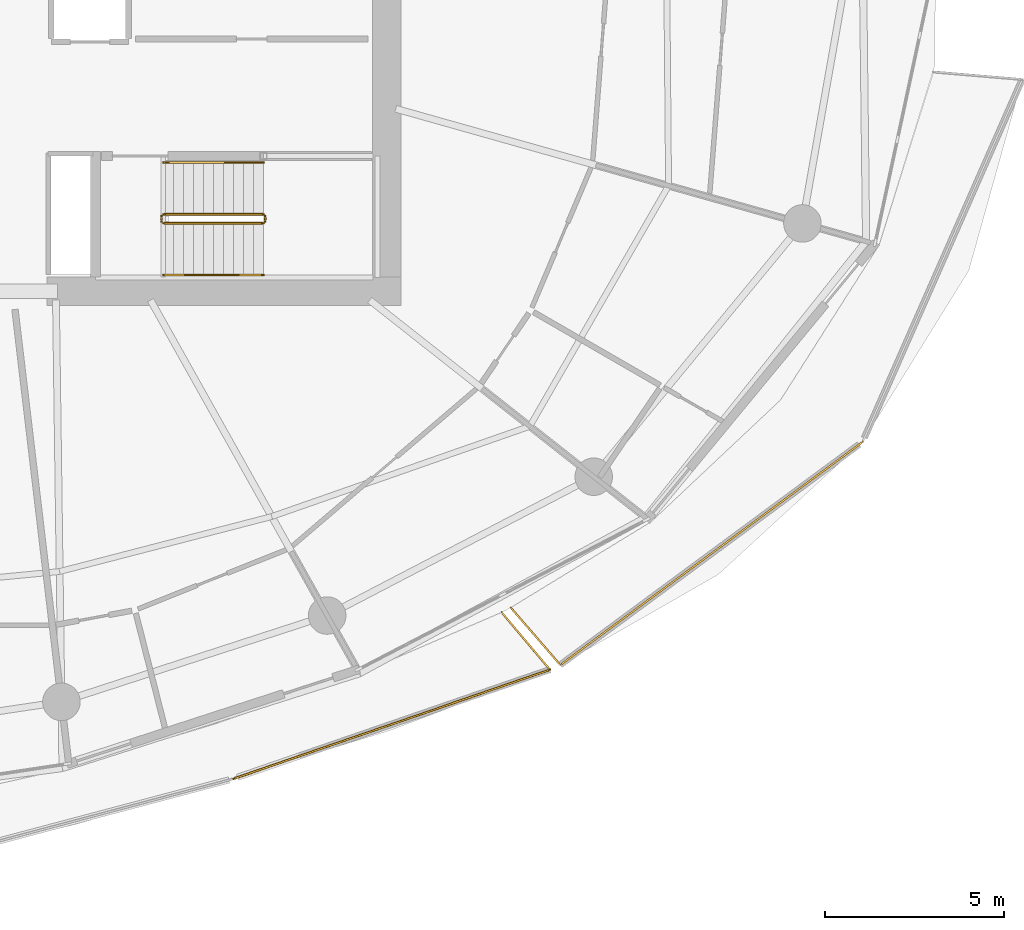
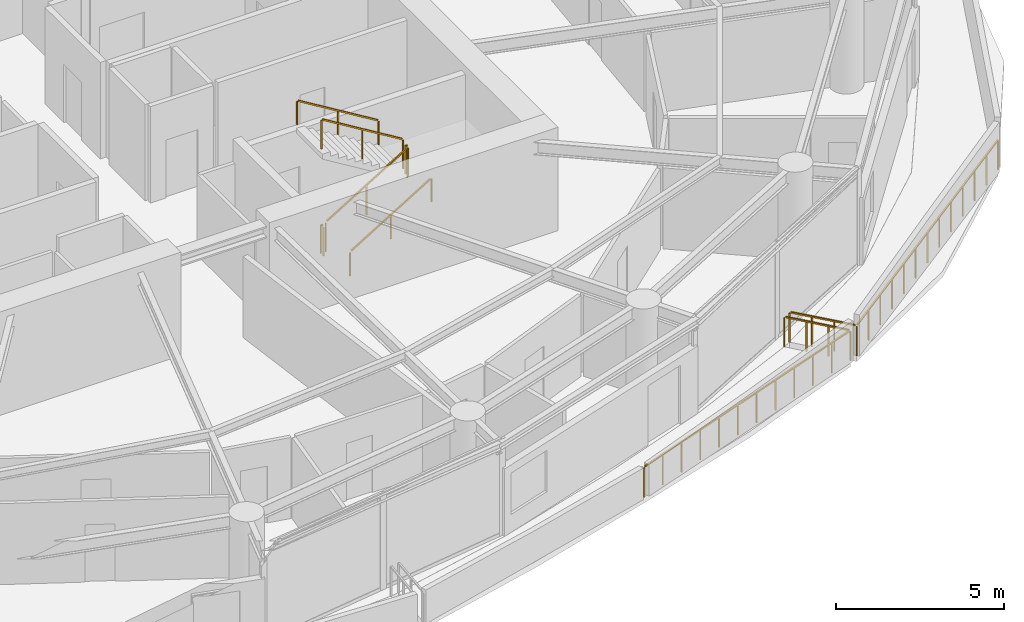
# One storey, part 18 of 20: 10 railings.
"""IFC4 building model written with IfcOpenShell, lengths in metres."""

from ifc_helpers import new_model, si_unit, direction, frame, origin, origin_2d, place, context, subcontext, project, spatial, rectangle, extrude, material, type_object, element, save


model = new_model("IFC4")

# Units and contexts
model_context = context("Model", 3, precision=1e-05, world=origin(), true_north=direction((0.0, 1.0)))
body_context = subcontext(model_context, "Body", "Model", "MODEL_VIEW")
ifc_project = project(units=[si_unit("LENGTHUNIT", "METRE"), si_unit("AREAUNIT", "SQUARE_METRE"), si_unit("VOLUMEUNIT", "CUBIC_METRE"), si_unit("PLANEANGLEUNIT", "RADIAN"), si_unit("MASSUNIT", "GRAM", prefix="KILO")], contexts=[model_context])

# Site, building, storey
site_placement = place(None, origin())
site = spatial("IfcSite", under=ifc_project, at=site_placement, CompositionType="ELEMENT")
building_placement = place(site_placement, origin())
building = spatial("IfcBuilding", under=site, at=building_placement, Name="Kazma Halo Residences", CompositionType="ELEMENT")
storey_placement = place(building_placement, frame((0.0, 0.0, 154.050048828125)))
storey = spatial("IfcBuildingStorey", under=building, at=storey_placement, Name="L38", CompositionType="ELEMENT", Elevation=154.050048828125)

# Railings
ifc_material_1 = material(Name="Aluminium AW-6063 T6 Brushed Cap Rail", Category="aluminium")
railing_type_1 = type_object("IfcRailingType", Name="RLG-BAL-CAP-1120", PredefinedType="BALUSTRADE", material=ifc_material_1)
railing_1_placement = place(storey_placement, frame((55.158935546875, 19.966796875, 0.0)))
element("IfcRailing", 1, at=railing_1_placement, inside=storey, type_object=railing_type_1, Name="L38 SSE wave balcony guard 3", PredefinedType="BALUSTRADE", context=body_context, shape_type="SweptSolid", body=[
    extrude(rectangle(XDim=0.050048828125, YDim=0.050048828125, at=origin_2d()), frame((0.040283203125, 0.013916015625, 1.09521484375), z_axis=(0.945398191233, 0.325917566284, 0.0), x_axis=(-0.325917566284, 0.945398191233, 0.0)), (0.0, 0.0, 1.0), 9.279296875),
    extrude(rectangle(XDim=0.0400390625, YDim=0.0400390625, at=origin_2d()), origin(), (0.0, 0.0, 1.0), 1.05810546875),
    extrude(rectangle(XDim=0.0400390625, YDim=0.0400390625, at=origin_2d()), frame((0.804931640625, 0.27734375, 0.0)), (0.0, 0.0, 1.0), 1.05810546875),
    extrude(rectangle(XDim=0.0400390625, YDim=0.0400390625, at=origin_2d()), frame((1.609619140625, 0.554931640625, 0.0)), (0.0, 0.0, 1.0), 1.05810546875),
    extrude(rectangle(XDim=0.0400390625, YDim=0.0400390625, at=origin_2d()), frame((2.41455078125, 0.832275390625, 0.0)), (0.0, 0.0, 1.0), 1.05810546875),
    extrude(rectangle(XDim=0.0400390625, YDim=0.0400390625, at=origin_2d()), frame((3.21923828125, 1.10986328125, 0.0)), (0.0, 0.0, 1.0), 1.05810546875),
    extrude(rectangle(XDim=0.0400390625, YDim=0.0400390625, at=origin_2d()), frame((4.024169921875, 1.38720703125, 0.0)), (0.0, 0.0, 1.0), 1.05810546875),
    extrude(rectangle(XDim=0.0400390625, YDim=0.0400390625, at=origin_2d()), frame((4.828857421875, 1.664794921875, 0.0)), (0.0, 0.0, 1.0), 1.05810546875),
    extrude(rectangle(XDim=0.0400390625, YDim=0.0400390625, at=origin_2d()), frame((5.6337890625, 1.942138671875, 0.0)), (0.0, 0.0, 1.0), 1.05810546875),
    extrude(rectangle(XDim=0.0400390625, YDim=0.0400390625, at=origin_2d()), frame((6.4384765625, 2.2197265625, 0.0)), (0.0, 0.0, 1.0), 1.05810546875),
    extrude(rectangle(XDim=0.0400390625, YDim=0.0400390625, at=origin_2d()), frame((7.243408203125, 2.4970703125, 0.0)), (0.0, 0.0, 1.0), 1.05810546875),
    extrude(rectangle(XDim=0.0400390625, YDim=0.0400390625, at=origin_2d()), frame((8.048095703125, 2.774658203125, 0.0)), (0.0, 0.0, 1.0), 1.05810546875),
    extrude(rectangle(XDim=0.0400390625, YDim=0.0400390625, at=origin_2d()), frame((8.85302734375, 3.052001953125, 0.0)), (0.0, 0.0, 1.0), 1.05810546875),
])
railing_2_placement = place(storey_placement, frame((64.011962890625, 23.018798828125, 0.0)))
element("IfcRailing", 2, at=railing_2_placement, inside=storey, type_object=railing_type_1, Name="L38 SSE wave balcony guard 4", PredefinedType="BALUSTRADE", context=body_context, shape_type="SweptSolid", body=[
    extrude(rectangle(XDim=0.050048828125, YDim=0.050048828125, at=origin_2d()), frame((-0.02734375, 0.032470703125, 1.09521484375), z_axis=(-0.644792225972, 0.764357890864, 0.0), x_axis=(-0.764357890864, -0.644792225972, 0.0)), (0.0, 0.0, 1.0), 2.010009765625),
    extrude(rectangle(XDim=0.0400390625, YDim=0.0400390625, at=origin_2d()), origin(), (0.0, 0.0, 1.0), 1.05810546875),
    extrude(rectangle(XDim=0.0400390625, YDim=0.0400390625, at=origin_2d()), frame((-0.4501953125, 0.53369140625, 0.0)), (0.0, 0.0, 1.0), 1.05810546875),
    extrude(rectangle(XDim=0.0400390625, YDim=0.0400390625, at=origin_2d()), frame((-0.900634765625, 1.067626953125, 0.0)), (0.0, 0.0, 1.0), 1.05810546875),
    extrude(rectangle(XDim=0.0400390625, YDim=0.0400390625, at=origin_2d()), frame((-1.350830078125, 1.601318359375, 0.0)), (0.0, 0.0, 1.0), 1.05810546875),
])
railing_3_placement = place(storey_placement, frame((62.91455078125, 24.751953125, 0.0)))
element("IfcRailing", 3, at=railing_3_placement, inside=storey, type_object=railing_type_1, Name="L38 SE wave balcony guard 1", PredefinedType="BALUSTRADE", context=body_context, shape_type="SweptSolid", body=[
    extrude(rectangle(XDim=0.050048828125, YDim=0.050048828125, at=origin_2d()), frame((0.02783203125, -0.0322265625, 1.09521484375), z_axis=(0.654078865259, -0.756426359946, 0.0), x_axis=(0.756426359946, 0.654078865259, 0.0)), (0.0, 0.0, 1.0), 2.033203125),
    extrude(rectangle(XDim=0.0400390625, YDim=0.0400390625, at=origin_2d()), origin(), (0.0, 0.0, 1.0), 1.05810546875),
    extrude(rectangle(XDim=0.0400390625, YDim=0.0400390625, at=origin_2d()), frame((0.4619140625, -0.5341796875, 0.0)), (0.0, 0.0, 1.0), 1.05810546875),
    extrude(rectangle(XDim=0.0400390625, YDim=0.0400390625, at=origin_2d()), frame((0.923583984375, -1.068115234375, 0.0)), (0.0, 0.0, 1.0), 1.05810546875),
    extrude(rectangle(XDim=0.0400390625, YDim=0.0400390625, at=origin_2d()), frame((1.385498046875, -1.602294921875, 0.0)), (0.0, 0.0, 1.0), 1.05810546875),
])
railing_4_placement = place(storey_placement, frame((64.300048828125, 23.149658203125, 0.0)))
element("IfcRailing", 4, at=railing_4_placement, inside=storey, type_object=railing_type_1, Name="L38 SE wave balcony guard 2", PredefinedType="BALUSTRADE", context=body_context, shape_type="SweptSolid", body=[
    extrude(rectangle(XDim=0.050048828125, YDim=0.050048828125, at=origin_2d()), frame((0.0341796875, 0.025146484375, 1.09521484375), z_axis=(0.804729225788, 0.59364204127, 0.0), x_axis=(-0.59364204127, 0.804729225788, 0.0)), (0.0, 0.0, 1.0), 10.42138671875),
    extrude(rectangle(XDim=0.0400390625, YDim=0.0400390625, at=origin_2d()), origin(), (0.0, 0.0, 1.0), 1.05810546875),
    extrude(rectangle(XDim=0.0400390625, YDim=0.0400390625, at=origin_2d()), frame((0.70458984375, 0.519775390625, 0.0)), (0.0, 0.0, 1.0), 1.05810546875),
    extrude(rectangle(XDim=0.0400390625, YDim=0.0400390625, at=origin_2d()), frame((1.4091796875, 1.03955078125, 0.0)), (0.0, 0.0, 1.0), 1.05810546875),
    extrude(rectangle(XDim=0.0400390625, YDim=0.0400390625, at=origin_2d()), frame((2.11376953125, 1.559326171875, 0.0)), (0.0, 0.0, 1.0), 1.05810546875),
    extrude(rectangle(XDim=0.0400390625, YDim=0.0400390625, at=origin_2d()), frame((2.818359375, 2.0791015625, 0.0)), (0.0, 0.0, 1.0), 1.05810546875),
    extrude(rectangle(XDim=0.0400390625, YDim=0.0400390625, at=origin_2d()), frame((3.52294921875, 2.598876953125, 0.0)), (0.0, 0.0, 1.0), 1.05810546875),
    extrude(rectangle(XDim=0.0400390625, YDim=0.0400390625, at=origin_2d()), frame((4.2275390625, 3.11865234375, 0.0)), (0.0, 0.0, 1.0), 1.05810546875),
    extrude(rectangle(XDim=0.0400390625, YDim=0.0400390625, at=origin_2d()), frame((4.931884765625, 3.63818359375, 0.0)), (0.0, 0.0, 1.0), 1.05810546875),
    extrude(rectangle(XDim=0.0400390625, YDim=0.0400390625, at=origin_2d()), frame((5.636474609375, 4.157958984375, 0.0)), (0.0, 0.0, 1.0), 1.05810546875),
    extrude(rectangle(XDim=0.0400390625, YDim=0.0400390625, at=origin_2d()), frame((6.341064453125, 4.677734375, 0.0)), (0.0, 0.0, 1.0), 1.05810546875),
    extrude(rectangle(XDim=0.0400390625, YDim=0.0400390625, at=origin_2d()), frame((7.045654296875, 5.197509765625, 0.0)), (0.0, 0.0, 1.0), 1.05810546875),
    extrude(rectangle(XDim=0.0400390625, YDim=0.0400390625, at=origin_2d()), frame((7.750244140625, 5.71728515625, 0.0)), (0.0, 0.0, 1.0), 1.05810546875),
    extrude(rectangle(XDim=0.0400390625, YDim=0.0400390625, at=origin_2d()), frame((8.454833984375, 6.237060546875, 0.0)), (0.0, 0.0, 1.0), 1.05810546875),
])
ifc_material_2 = material(Name="Painted Steel S355", Category="steel")
railing_type_2 = type_object("IfcRailingType", Name="RLG-STAIR-GRD-1100", PredefinedType="GUARDRAIL", material=ifc_material_2)
railing_5_placement = place(storey_placement, frame((53.199951171875, 35.5, 0.17041015625)))
element("IfcRailing", 5, at=railing_5_placement, inside=storey, type_object=railing_type_2, Name="L38 ST-03 stair guard 1", PredefinedType="GUARDRAIL", context=body_context, shape_type="SweptSolid", body=[
    extrude(rectangle(XDim=0.050048828125, YDim=0.050048828125, at=origin_2d()), frame((0.036376953125, 0.0, 1.09716796875), z_axis=(0.854169791009, 0.0, 0.51999420009), x_axis=(0.0, 1.0, 0.0)), (0.0, 0.0, 1.0), 3.193115234375),
    extrude(rectangle(XDim=0.0400390625, YDim=0.0400390625, at=origin_2d()), origin(), (0.0, 0.0, 1.0), 1.0380859375),
    extrude(rectangle(XDim=0.0400390625, YDim=0.0400390625, at=origin_2d()), frame((1.39990234375, 0.0, 0.852294921875)), (0.0, 0.0, 1.0), 1.0380859375),
    extrude(rectangle(XDim=0.0400390625, YDim=0.0400390625, at=origin_2d()), frame((2.800048828125, 0.0, 1.70458984375)), (0.0, 0.0, 1.0), 1.0380859375),
])
railing_6_placement = place(storey_placement, frame((56.050048828125, 35.550048828125, 1.875)))
element("IfcRailing", 6, at=railing_6_placement, inside=storey, type_object=railing_type_2, Name="L38 ST-03 stair guard 2", PredefinedType="GUARDRAIL", context=body_context, shape_type="SweptSolid", body=[
    extrude(rectangle(XDim=0.050048828125, YDim=0.050048828125, at=origin_2d()), frame((0.0, 0.04248046875, 1.0751953125), z_axis=(0.0, 1.0, 0.0), x_axis=(-1.0, 0.0, 0.0)), (0.0, 0.0, 1.0), 0.06494140625),
    extrude(rectangle(XDim=0.0400390625, YDim=0.0400390625, at=origin_2d()), origin(), (0.0, 0.0, 1.0), 1.0380859375),
    extrude(rectangle(XDim=0.0400390625, YDim=0.0400390625, at=origin_2d()), frame((0.0, 0.14990234375, 0.0)), (0.0, 0.0, 1.0), 1.0380859375),
])
railing_7_placement = place(storey_placement, frame((56.0, 35.75, 2.04541015625)))
element("IfcRailing", 7, at=railing_7_placement, inside=storey, type_object=railing_type_2, Name="L38 ST-03 stair guard 3", PredefinedType="GUARDRAIL", context=body_context, shape_type="SweptSolid", body=[
    extrude(rectangle(XDim=0.050048828125, YDim=0.050048828125, at=origin_2d()), frame((-0.036376953125, 0.0, 1.09716796875), z_axis=(-0.854169791009, 0.0, 0.51999420009), x_axis=(0.0, -1.0, 0.0)), (0.0, 0.0, 1.0), 3.193115234375),
    extrude(rectangle(XDim=0.0400390625, YDim=0.0400390625, at=origin_2d()), origin(), (0.0, 0.0, 1.0), 1.0380859375),
    extrude(rectangle(XDim=0.0400390625, YDim=0.0400390625, at=origin_2d()), frame((-1.39990234375, 0.0, 0.852294921875)), (0.0, 0.0, 1.0), 1.0380859375),
    extrude(rectangle(XDim=0.0400390625, YDim=0.0400390625, at=origin_2d()), frame((-2.800048828125, 0.0, 1.70458984375)), (0.0, 0.0, 1.0), 1.0380859375),
])
railing_8_placement = place(storey_placement, frame((53.14990234375, 35.550048828125, 0.0)))
element("IfcRailing", 8, at=railing_8_placement, inside=storey, type_object=railing_type_2, Name="L38 ST-03 stair guard 4", PredefinedType="GUARDRAIL", context=body_context, shape_type="SweptSolid", body=[
    extrude(rectangle(XDim=0.050048828125, YDim=0.050048828125, at=origin_2d()), frame((0.0, 0.04248046875, 1.0751953125), z_axis=(0.0, 1.0, 0.0), x_axis=(-1.0, 0.0, 0.0)), (0.0, 0.0, 1.0), 0.06494140625),
    extrude(rectangle(XDim=0.0400390625, YDim=0.0400390625, at=origin_2d()), origin(), (0.0, 0.0, 1.0), 1.0380859375),
    extrude(rectangle(XDim=0.0400390625, YDim=0.0400390625, at=origin_2d()), frame((0.0, 0.14990234375, 0.0)), (0.0, 0.0, 1.0), 1.0380859375),
])
ifc_material_3 = material(Name="Brushed Stainless Steel", Category="steel")
railing_type_3 = type_object("IfcRailingType", Name="RLG-STAIR-HND-900", PredefinedType="HANDRAIL", material=ifc_material_3)
railing_9_placement = place(storey_placement, frame((53.199951171875, 34.050048828125, 0.17041015625)))
element("IfcRailing", 9, at=railing_9_placement, inside=storey, type_object=railing_type_3, Name="L38 ST-03 stair handrail 1", PredefinedType="HANDRAIL", context=body_context, shape_type="SweptSolid", body=[
    extrude(rectangle(XDim=0.050048828125, YDim=0.050048828125, at=origin_2d()), frame((0.036376953125, 0.0, 0.89697265625), z_axis=(0.854169791009, 0.0, 0.51999420009), x_axis=(0.0, 1.0, 0.0)), (0.0, 0.0, 1.0), 3.193115234375),
    extrude(rectangle(XDim=0.0400390625, YDim=0.0400390625, at=origin_2d()), origin(), (0.0, 0.0, 1.0), 0.837890625),
    extrude(rectangle(XDim=0.0400390625, YDim=0.0400390625, at=origin_2d()), frame((1.39990234375, 0.0, 0.852294921875)), (0.0, 0.0, 1.0), 0.837890625),
    extrude(rectangle(XDim=0.0400390625, YDim=0.0400390625, at=origin_2d()), frame((2.800048828125, 0.0, 1.70458984375)), (0.0, 0.0, 1.0), 0.837890625),
])
railing_10_placement = place(storey_placement, frame((56.0, 37.199951171875, 2.04541015625)))
element("IfcRailing", 10, at=railing_10_placement, inside=storey, type_object=railing_type_3, Name="L38 ST-03 stair handrail 2", PredefinedType="HANDRAIL", context=body_context, shape_type="SweptSolid", body=[
    extrude(rectangle(XDim=0.050048828125, YDim=0.050048828125, at=origin_2d()), frame((-0.036376953125, 0.0, 0.89697265625), z_axis=(-0.854169791009, 0.0, 0.51999420009), x_axis=(0.0, -1.0, 0.0)), (0.0, 0.0, 1.0), 3.193115234375),
    extrude(rectangle(XDim=0.0400390625, YDim=0.0400390625, at=origin_2d()), origin(), (0.0, 0.0, 1.0), 0.837890625),
    extrude(rectangle(XDim=0.0400390625, YDim=0.0400390625, at=origin_2d()), frame((-1.39990234375, 0.0, 0.852294921875)), (0.0, 0.0, 1.0), 0.837890625),
    extrude(rectangle(XDim=0.0400390625, YDim=0.0400390625, at=origin_2d()), frame((-2.800048828125, 0.0, 1.70458984375)), (0.0, 0.0, 1.0), 0.837890625),
])

save(model, "model.ifc")
